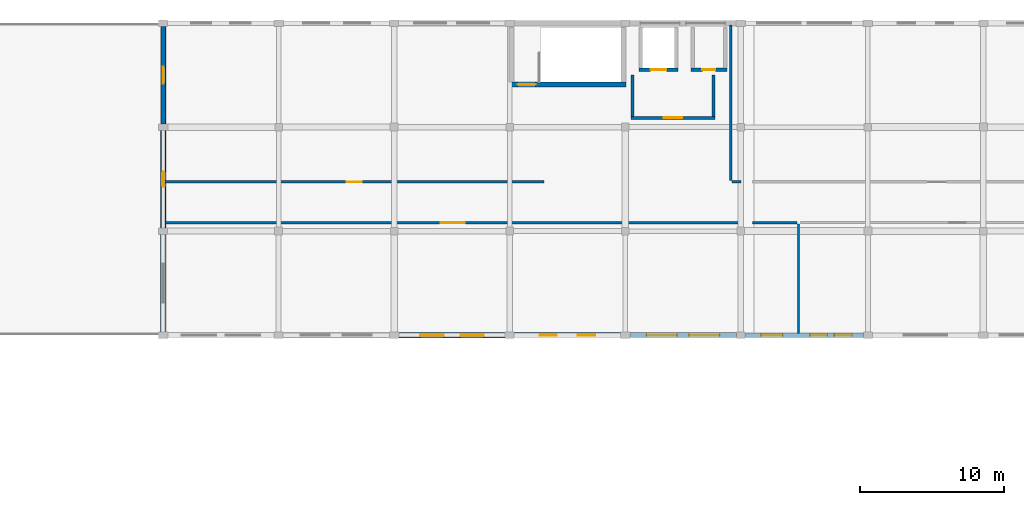
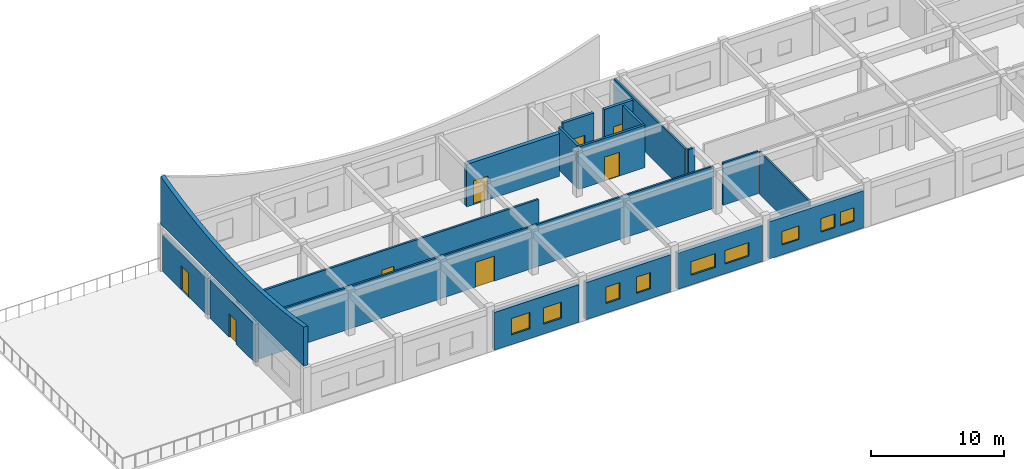
# One storey, part 4 of 10: 19 walls, 9 windows, 8 doors, 17 openings.
"""IFC4 building model written with IfcOpenShell, lengths in metres."""

from ifc_helpers import new_model, si_unit, direction, frame, frame_2d, origin, place, context, subcontext, project, spatial, polyline, rectangle, outline, extrude, material, layer, layer_set, type_object, element, fill, save


model = new_model("IFC4")

# Units and contexts
model_context = context("Model", 3, precision=1e-05, world=origin(), true_north=direction((0.0, 1.0)))
body_context = subcontext(model_context, "Body", "Model", "MODEL_VIEW")
ifc_project = project(units=[si_unit("LENGTHUNIT", "METRE"), si_unit("AREAUNIT", "SQUARE_METRE"), si_unit("VOLUMEUNIT", "CUBIC_METRE"), si_unit("PLANEANGLEUNIT", "RADIAN"), si_unit("MASSUNIT", "GRAM", prefix="KILO")], contexts=[model_context])

# Site, building, storey
site_placement = place(None, origin())
site = spatial("IfcSite", under=ifc_project, at=site_placement, CompositionType="ELEMENT")
building_placement = place(site_placement, origin())
building = spatial("IfcBuilding", under=site, at=building_placement, Name="Kharva Crest Polytechnic", CompositionType="ELEMENT")
storey_placement = place(building_placement, frame((0.0, 0.0, 25.800048828125)))
storey = spatial("IfcBuildingStorey", under=building, at=storey_placement, Name="L06", CompositionType="ELEMENT", Elevation=25.800048828125)

# Wall, opening, door
ifc_material_1 = material(Name="Concrete C40/50", Category="concrete")
ifc_layer_1 = layer(ifc_material_1, 0.35009765625, Name="Concrete C40/50")
ifc_layer_set_1 = layer_set([ifc_layer_1], Name="Concrete C40/50")
wall_type_1 = type_object("IfcWallType", Name="WL-CORE-CW1-350", PredefinedType="SHEAR", material=ifc_layer_set_1)
wall_1_placement = place(storey_placement, frame((103.949951171875, 117.764892578125, 0.0), z_axis=(0.0, 0.0, 1.0), x_axis=(1.0, 0.0, 0.0)))
wall_1 = element("IfcWall", 1, at=wall_1_placement, inside=storey, type_object=wall_type_1, Name="L06 North Crest Firefighting Core C4 South Shear Wall", PredefinedType="SHEAR", context=body_context, shape_type="SweptSolid", body=[
    extrude(rectangle(XDim=8.10009765625, YDim=0.35009765625, at=frame_2d((4.050048828125, 0.0))), origin(), (0.0, 0.0, 1.0), 3.919921875),
])
opening_1_placement = place(wall_1_placement, frame((0.60009765625, 0.0, 0.0)))
opening_1 = element("IfcOpeningElement", 2, at=opening_1_placement, cuts=wall_1, Name="Opening FD1B", PredefinedType="OPENING", context=body_context, shape_type="SweptSolid", body=[
    extrude(rectangle(XDim=1.25, YDim=2.199951171875, at=frame_2d((0.625, 1.10009765625))), frame((0.0, 0.18505859375, 0.0), z_axis=(0.0, -1.0, 0.0), x_axis=(1.0, 0.0, 0.0)), (0.0, 0.0, 1.0), 0.3701171875),
])
ifc_material_2 = material(Name="Teak timber", Category="wood")
door_type_1 = type_object("IfcDoorType", Name="DR-STAIR-1250X2200", OperationType="NOTDEFINED", PredefinedType="DOOR", material=ifc_material_2)
door_1_placement = place(opening_1_placement, origin())
door_1 = element("IfcDoor", 3, at=door_1_placement, inside=storey, type_object=door_type_1, Name="L06 ST-04 Stair Door", OperationType="SINGLE_SWING_LEFT", OverallHeight=2.199951171875, OverallWidth=1.25, PredefinedType="DOOR", context=body_context, shape_type="SweptSolid", body=[
    extrude(rectangle(XDim=1.25, YDim=2.199951171875, at=frame_2d((0.625, 1.10009765625))), frame((0.0, 0.02490234375, 0.0), z_axis=(0.0, -1.0, 0.0), x_axis=(1.0, 0.0, 0.0)), (0.0, 0.0, 1.0), 0.050048828125),
])
fill(opening_1, door_1)

ifc_material_3 = material(Name="Kiln brick masonry", Category="masonry")
ifc_layer_2 = layer(ifc_material_3, 0.2900390625, Name="Kiln brick masonry")
ifc_layer_set_2 = layer_set([ifc_layer_2], Name="Kiln brick masonry")
wall_type_2 = type_object("IfcWallType", Name="WL-EXT-BRK-290", PredefinedType="SOLIDWALL", material=ifc_layer_set_2)
wall_2_placement = place(storey_placement, frame((80.0, 114.580078125, 0.0), z_axis=(0.0, 0.0, 1.0), x_axis=(0.0, -1.0, 0.0)))
wall_2 = element("IfcWall", 4, at=wall_2_placement, inside=storey, type_object=wall_type_2, Name="L06 Exterior Brick Wall 487", PredefinedType="SOLIDWALL", context=body_context, shape_type="SweptSolid", body=[
    extrude(rectangle(XDim=6.760009765625, YDim=0.2900390625, at=frame_2d((3.3798828125, 0.0))), origin(), (0.0, 0.0, 1.0), 3.534912109375),
])
opening_2_placement = place(wall_2_placement, frame((2.85498046875, 0.0, 0.0)))
opening_2 = element("IfcOpeningElement", 5, at=opening_2_placement, cuts=wall_2, Name="Opening ED10", PredefinedType="OPENING", context=body_context, shape_type="SweptSolid", body=[
    extrude(rectangle(XDim=1.050048828125, YDim=2.14990234375, at=frame_2d((0.52490234375, 1.074951171875))), frame((0.0, 0.155029296875, 0.0), z_axis=(0.0, -1.0, 0.0), x_axis=(1.0, 0.0, 0.0)), (0.0, 0.0, 1.0), 0.31005859375),
])
ifc_material_4 = material(Name="Anodised aluminium", Category="aluminium")
door_type_2 = type_object("IfcDoorType", Name="DR-EXT-TER-1050X2150", OperationType="NOTDEFINED", PredefinedType="DOOR", material=ifc_material_4)
door_2_placement = place(opening_2_placement, frame((1.050048828125, 0.0, 0.0), z_axis=(0.0, 0.0, 1.0), x_axis=(-1.0, 0.0, 0.0)))
door_2 = element("IfcDoor", 6, at=door_2_placement, inside=storey, type_object=door_type_2, Name="L06 TER_N_L06 Access Door 59", OperationType="SINGLE_SWING_LEFT", OverallHeight=2.14990234375, OverallWidth=1.050048828125, PredefinedType="DOOR", context=body_context, shape_type="SweptSolid", body=[
    extrude(rectangle(XDim=1.050048828125, YDim=2.14990234375, at=frame_2d((0.52490234375, 1.074951171875))), frame((0.0, 0.02490234375, 0.0), z_axis=(0.0, -1.0, 0.0), x_axis=(1.0, 0.0, 0.0)), (0.0, 0.0, 1.0), 0.050048828125),
])
fill(opening_2, door_2)

ifc_layer_3 = layer(ifc_material_3, 0.304931640625, Name="Kiln brick masonry")
ifc_layer_set_3 = layer_set([ifc_layer_3], Name="Kiln brick masonry")
wall_type_3 = type_object("IfcWallType", Name="WL-EXT-BRK-305", PredefinedType="SOLIDWALL", material=ifc_layer_set_3)
wall_3_placement = place(storey_placement, frame((80.0, 121.780029296875, 0.0), z_axis=(0.0, 0.0, 1.0), x_axis=(0.0, -1.0, 0.0)))
wall_3 = element("IfcWall", 7, at=wall_3_placement, inside=storey, type_object=wall_type_3, Name="L06 Exterior Brick Wall 486", PredefinedType="SOLIDWALL", context=body_context, shape_type="SweptSolid", body=[
    extrude(rectangle(XDim=6.760009765625, YDim=0.304931640625, at=frame_2d((3.3798828125, 0.0))), origin(), (0.0, 0.0, 1.0), 3.35498046875),
])
opening_3_placement = place(wall_3_placement, frame((2.804931640625, 0.0, 0.0)))
opening_3 = element("IfcOpeningElement", 8, at=opening_3_placement, cuts=wall_3, Name="Opening ED9", PredefinedType="OPENING", context=body_context, shape_type="SweptSolid", body=[
    extrude(rectangle(XDim=1.14990234375, YDim=2.199951171875, at=frame_2d((0.574951171875, 1.10009765625))), frame((0.0, 0.162353515625, 0.0), z_axis=(0.0, -1.0, 0.0), x_axis=(1.0, 0.0, 0.0)), (0.0, 0.0, 1.0), 0.324951171875),
])
door_type_3 = type_object("IfcDoorType", Name="DR-EXT-TER-1150X2200", OperationType="NOTDEFINED", PredefinedType="DOOR", material=ifc_material_4)
door_3_placement = place(opening_3_placement, frame((1.14990234375, 0.0, 0.0), z_axis=(0.0, 0.0, 1.0), x_axis=(-1.0, 0.0, 0.0)))
door_3 = element("IfcDoor", 9, at=door_3_placement, inside=storey, type_object=door_type_3, Name="L06 TER_N_L06 Access Door 58", OperationType="SINGLE_SWING_RIGHT", OverallHeight=2.199951171875, OverallWidth=1.14990234375, PredefinedType="DOOR", context=body_context, shape_type="SweptSolid", body=[
    extrude(rectangle(XDim=1.14990234375, YDim=2.199951171875, at=frame_2d((0.574951171875, 1.10009765625))), frame((0.0, 0.02490234375, 0.0), z_axis=(0.0, -1.0, 0.0), x_axis=(1.0, 0.0, 0.0)), (0.0, 0.0, 1.0), 0.050048828125),
])
fill(opening_3, door_3)

# Wall, openings, windows
ifc_layer_4 = layer(ifc_material_3, 0.320068359375, Name="Kiln brick masonry")
ifc_layer_set_4 = layer_set([ifc_layer_4], Name="Kiln brick masonry")
wall_type_4 = type_object("IfcWallType", Name="WL-EXT-BRK-320", PredefinedType="SOLIDWALL", material=ifc_layer_set_4)
wall_4_placement = place(storey_placement, frame((120.304931640625, 100.39990234375, 0.0), z_axis=(0.0, 0.0, 1.0), x_axis=(1.0, 0.0, 0.0)))
wall_4 = element("IfcWall", 10, at=wall_4_placement, inside=storey, type_object=wall_type_4, Name="L06 Exterior Brick Wall 494", PredefinedType="SOLIDWALL", context=body_context, shape_type="SweptSolid", body=[
    extrude(rectangle(XDim=8.190185546875, YDim=0.320068359375, at=frame_2d((4.09521484375, 0.0))), origin(), (0.0, 0.0, 1.0), 3.425048828125),
])
opening_4_placement = place(wall_4_placement, frame((1.097900390625, 0.0, 0.89990234375)))
opening_4 = element("IfcOpeningElement", 11, at=opening_4_placement, cuts=wall_4, Name="Opening W20", PredefinedType="OPENING", context=body_context, shape_type="SweptSolid", body=[
    extrude(rectangle(XDim=1.5, YDim=1.25, at=frame_2d((0.75, 0.625))), frame((0.0, 0.169921875, 0.0), z_axis=(0.0, -1.0, 0.0), x_axis=(1.0, 0.0, 0.0)), (0.0, 0.0, 1.0), 0.340087890625),
])
opening_5_placement = place(wall_4_placement, frame((4.5, 0.0, 0.89990234375)))
opening_5 = element("IfcOpeningElement", 12, at=opening_5_placement, cuts=wall_4, Name="Opening W21", PredefinedType="OPENING", context=body_context, shape_type="SweptSolid", body=[
    extrude(rectangle(XDim=1.199951171875, YDim=1.25, at=frame_2d((0.60009765625, 0.625))), frame((0.0, 0.169921875, 0.0), z_axis=(0.0, -1.0, 0.0), x_axis=(1.0, 0.0, 0.0)), (0.0, 0.0, 1.0), 0.340087890625),
])
opening_6_placement = place(wall_4_placement, frame((6.18505859375, 0.0, 0.89990234375)))
opening_6 = element("IfcOpeningElement", 13, at=opening_6_placement, cuts=wall_4, Name="Opening W21", PredefinedType="OPENING", context=body_context, shape_type="SweptSolid", body=[
    extrude(rectangle(XDim=1.199951171875, YDim=1.25, at=frame_2d((0.60009765625, 0.625))), frame((0.0, 0.169921875, 0.0), z_axis=(0.0, -1.0, 0.0), x_axis=(1.0, 0.0, 0.0)), (0.0, 0.0, 1.0), 0.340087890625),
])
window_type_1 = type_object("IfcWindowType", Name="WIN-ALU-1200X1250", PartitioningType="SINGLE_PANEL", PredefinedType="WINDOW", material=ifc_material_4)
window_1_placement = place(opening_5_placement, origin())
window_1 = element("IfcWindow", 14, at=window_1_placement, inside=storey, type_object=window_type_1, Name="L06 Exterior Window 710", OverallHeight=1.25, OverallWidth=1.199951171875, PartitioningType="SINGLE_PANEL", PredefinedType="WINDOW", context=body_context, shape_type="SweptSolid", body=[
    extrude(rectangle(XDim=1.199951171875, YDim=1.25, at=frame_2d((0.60009765625, 0.625))), frame((0.0, 0.030029296875, 0.0), z_axis=(0.0, -1.0, 0.0), x_axis=(1.0, 0.0, 0.0)), (0.0, 0.0, 1.0), 0.06005859375),
])
fill(opening_5, window_1)
window_2_placement = place(opening_6_placement, origin())
window_2 = element("IfcWindow", 15, at=window_2_placement, inside=storey, type_object=window_type_1, Name="L06 Exterior Window 711", OverallHeight=1.25, OverallWidth=1.199951171875, PartitioningType="SINGLE_PANEL", PredefinedType="WINDOW", context=body_context, shape_type="SweptSolid", body=[
    extrude(rectangle(XDim=1.199951171875, YDim=1.25, at=frame_2d((0.60009765625, 0.625))), frame((0.0, 0.030029296875, 0.0), z_axis=(0.0, -1.0, 0.0), x_axis=(1.0, 0.0, 0.0)), (0.0, 0.0, 1.0), 0.06005859375),
])
fill(opening_6, window_2)
window_type_2 = type_object("IfcWindowType", Name="WIN-ALU-1500X1250", PartitioningType="SINGLE_PANEL", PredefinedType="WINDOW", material=ifc_material_4)
window_3_placement = place(opening_4_placement, origin())
window_3 = element("IfcWindow", 16, at=window_3_placement, inside=storey, type_object=window_type_2, Name="L06 Exterior Window 709", OverallHeight=1.25, OverallWidth=1.5, PartitioningType="SINGLE_PANEL", PredefinedType="WINDOW", context=body_context, shape_type="SweptSolid", body=[
    extrude(rectangle(XDim=1.5, YDim=1.25, at=frame_2d((0.75, 0.625))), frame((0.0, 0.030029296875, 0.0), z_axis=(0.0, -1.0, 0.0), x_axis=(1.0, 0.0, 0.0)), (0.0, 0.0, 1.0), 0.06005859375),
])
fill(opening_4, window_3)

ifc_layer_5 = layer(ifc_material_3, 0.3349609375, Name="Kiln brick masonry")
ifc_layer_set_5 = layer_set([ifc_layer_5], Name="Kiln brick masonry")
wall_type_5 = type_object("IfcWallType", Name="WL-EXT-BRK-335", PredefinedType="SOLIDWALL", material=ifc_layer_set_5)
wall_5_placement = place(storey_placement, frame((112.320068359375, 100.39990234375, 0.0), z_axis=(0.0, 0.0, 1.0), x_axis=(1.0, 0.0, 0.0)))
wall_5 = element("IfcWall", 17, at=wall_5_placement, inside=storey, type_object=wall_type_5, Name="L06 Exterior Brick Wall 493", PredefinedType="SOLIDWALL", context=body_context, shape_type="SweptSolid", body=[
    extrude(rectangle(XDim=7.375, YDim=0.3349609375, at=frame_2d((3.6875, 0.0))), origin(), (0.0, 0.0, 1.0), 3.324951171875),
])
opening_7_placement = place(wall_5_placement, frame((1.1650390625, 0.0, 0.89990234375)))
opening_7 = element("IfcOpeningElement", 18, at=opening_7_placement, cuts=wall_5, Name="Opening W18", PredefinedType="OPENING", context=body_context, shape_type="SweptSolid", body=[
    extrude(rectangle(XDim=2.10009765625, YDim=1.25, at=frame_2d((1.050048828125, 0.625))), frame((0.0, 0.177490234375, 0.0), z_axis=(0.0, -1.0, 0.0), x_axis=(1.0, 0.0, 0.0)), (0.0, 0.0, 1.0), 0.35498046875),
])
opening_8_placement = place(wall_5_placement, frame((4.110107421875, 0.0, 0.89990234375)))
opening_8 = element("IfcOpeningElement", 19, at=opening_8_placement, cuts=wall_5, Name="Opening W18", PredefinedType="OPENING", context=body_context, shape_type="SweptSolid", body=[
    extrude(rectangle(XDim=2.10009765625, YDim=1.25, at=frame_2d((1.050048828125, 0.625))), frame((0.0, 0.177490234375, 0.0), z_axis=(0.0, -1.0, 0.0), x_axis=(1.0, 0.0, 0.0)), (0.0, 0.0, 1.0), 0.35498046875),
])
window_type_3 = type_object("IfcWindowType", Name="WIN-ALU-2100X1250", PartitioningType="SINGLE_PANEL", PredefinedType="WINDOW", material=ifc_material_4)
window_4_placement = place(opening_7_placement, origin())
window_4 = element("IfcWindow", 20, at=window_4_placement, inside=storey, type_object=window_type_3, Name="L06 Exterior Window 707", OverallHeight=1.25, OverallWidth=2.10009765625, PartitioningType="SINGLE_PANEL", PredefinedType="WINDOW", context=body_context, shape_type="SweptSolid", body=[
    extrude(rectangle(XDim=2.10009765625, YDim=1.25, at=frame_2d((1.050048828125, 0.625))), frame((0.0, 0.030029296875, 0.0), z_axis=(0.0, -1.0, 0.0), x_axis=(1.0, 0.0, 0.0)), (0.0, 0.0, 1.0), 0.06005859375),
])
fill(opening_7, window_4)
window_5_placement = place(opening_8_placement, origin())
window_5 = element("IfcWindow", 21, at=window_5_placement, inside=storey, type_object=window_type_3, Name="L06 Exterior Window 708", OverallHeight=1.25, OverallWidth=2.10009765625, PartitioningType="SINGLE_PANEL", PredefinedType="WINDOW", context=body_context, shape_type="SweptSolid", body=[
    extrude(rectangle(XDim=2.10009765625, YDim=1.25, at=frame_2d((1.050048828125, 0.625))), frame((0.0, 0.030029296875, 0.0), z_axis=(0.0, -1.0, 0.0), x_axis=(1.0, 0.0, 0.0)), (0.0, 0.0, 1.0), 0.06005859375),
])
fill(opening_8, window_5)

ifc_layer_6 = layer(ifc_material_3, 0.35009765625, Name="Kiln brick masonry")
ifc_layer_set_6 = layer_set([ifc_layer_6], Name="Kiln brick masonry")
wall_type_6 = type_object("IfcWallType", Name="WL-EXT-BRK-350", PredefinedType="SOLIDWALL", material=ifc_layer_set_6)
wall_6_placement = place(storey_placement, frame((104.304931640625, 100.39990234375, 0.0), z_axis=(0.0, 0.0, 1.0), x_axis=(1.0, 0.0, 0.0)))
wall_6 = element("IfcWall", 22, at=wall_6_placement, inside=storey, type_object=wall_type_6, Name="L06 Exterior Brick Wall 492", PredefinedType="SOLIDWALL", context=body_context, shape_type="SweptSolid", body=[
    extrude(rectangle(XDim=7.375, YDim=0.35009765625, at=frame_2d((3.6875, 0.0))), origin(), (0.0, 0.0, 1.0), 3.425048828125),
])
opening_9_placement = place(wall_6_placement, frame((1.764892578125, 0.0, 0.89990234375)))
opening_9 = element("IfcOpeningElement", 23, at=opening_9_placement, cuts=wall_6, Name="Opening W16", PredefinedType="OPENING", context=body_context, shape_type="SweptSolid", body=[
    extrude(rectangle(XDim=1.199951171875, YDim=1.5, at=frame_2d((0.60009765625, 0.75))), frame((0.0, 0.18505859375, 0.0), z_axis=(0.0, -1.0, 0.0), x_axis=(1.0, 0.0, 0.0)), (0.0, 0.0, 1.0), 0.3701171875),
])
opening_10_placement = place(wall_6_placement, frame((4.409912109375, 0.0, 0.89990234375)))
opening_10 = element("IfcOpeningElement", 24, at=opening_10_placement, cuts=wall_6, Name="Opening W16", PredefinedType="OPENING", context=body_context, shape_type="SweptSolid", body=[
    extrude(rectangle(XDim=1.199951171875, YDim=1.5, at=frame_2d((0.60009765625, 0.75))), frame((0.0, 0.18505859375, 0.0), z_axis=(0.0, -1.0, 0.0), x_axis=(1.0, 0.0, 0.0)), (0.0, 0.0, 1.0), 0.3701171875),
])
window_type_4 = type_object("IfcWindowType", Name="WIN-ALU-1200X1500", PartitioningType="SINGLE_PANEL", PredefinedType="WINDOW", material=ifc_material_4)
window_6_placement = place(opening_9_placement, origin())
window_6 = element("IfcWindow", 25, at=window_6_placement, inside=storey, type_object=window_type_4, Name="L06 Exterior Window 705", OverallHeight=1.5, OverallWidth=1.199951171875, PartitioningType="SINGLE_PANEL", PredefinedType="WINDOW", context=body_context, shape_type="SweptSolid", body=[
    extrude(rectangle(XDim=1.199951171875, YDim=1.5, at=frame_2d((0.60009765625, 0.75))), frame((0.0, 0.030029296875, 0.0), z_axis=(0.0, -1.0, 0.0), x_axis=(1.0, 0.0, 0.0)), (0.0, 0.0, 1.0), 0.06005859375),
])
fill(opening_9, window_6)
window_7_placement = place(opening_10_placement, origin())
window_7 = element("IfcWindow", 26, at=window_7_placement, inside=storey, type_object=window_type_4, Name="L06 Exterior Window 706", OverallHeight=1.5, OverallWidth=1.199951171875, PartitioningType="SINGLE_PANEL", PredefinedType="WINDOW", context=body_context, shape_type="SweptSolid", body=[
    extrude(rectangle(XDim=1.199951171875, YDim=1.5, at=frame_2d((0.60009765625, 0.75))), frame((0.0, 0.030029296875, 0.0), z_axis=(0.0, -1.0, 0.0), x_axis=(1.0, 0.0, 0.0)), (0.0, 0.0, 1.0), 0.06005859375),
])
fill(opening_10, window_7)

ifc_layer_7 = layer(ifc_material_3, 0.364990234375, Name="Kiln brick masonry")
ifc_layer_set_7 = layer_set([ifc_layer_7], Name="Kiln brick masonry")
wall_type_7 = type_object("IfcWallType", Name="WL-EXT-BRK-365", PredefinedType="SOLIDWALL", material=ifc_layer_set_7)
wall_7_placement = place(storey_placement, frame((96.320068359375, 100.39990234375, 0.0), z_axis=(0.0, 0.0, 1.0), x_axis=(1.0, 0.0, 0.0)))
wall_7 = element("IfcWall", 27, at=wall_7_placement, inside=storey, type_object=wall_type_7, Name="L06 Exterior Brick Wall 491", PredefinedType="SOLIDWALL", context=body_context, shape_type="SweptSolid", body=[
    extrude(rectangle(XDim=7.375, YDim=0.364990234375, at=frame_2d((3.6875, 0.0))), origin(), (0.0, 0.0, 1.0), 3.474853515625),
])
opening_11_placement = place(wall_7_placement, frame((1.498046875, 0.0, 0.89990234375)))
opening_11 = element("IfcOpeningElement", 28, at=opening_11_placement, cuts=wall_7, Name="Opening W14", PredefinedType="OPENING", context=body_context, shape_type="SweptSolid", body=[
    extrude(rectangle(XDim=1.60009765625, YDim=1.5, at=frame_2d((0.800048828125, 0.75))), frame((0.0, 0.1923828125, 0.0), z_axis=(0.0, -1.0, 0.0), x_axis=(1.0, 0.0, 0.0)), (0.0, 0.0, 1.0), 0.385009765625),
])
opening_12_placement = place(wall_7_placement, frame((4.277099609375, 0.0, 0.89990234375)))
opening_12 = element("IfcOpeningElement", 29, at=opening_12_placement, cuts=wall_7, Name="Opening W14", PredefinedType="OPENING", context=body_context, shape_type="SweptSolid", body=[
    extrude(rectangle(XDim=1.60009765625, YDim=1.5, at=frame_2d((0.800048828125, 0.75))), frame((0.0, 0.1923828125, 0.0), z_axis=(0.0, -1.0, 0.0), x_axis=(1.0, 0.0, 0.0)), (0.0, 0.0, 1.0), 0.385009765625),
])
window_type_5 = type_object("IfcWindowType", Name="WIN-ALU-1600X1500", PartitioningType="SINGLE_PANEL", PredefinedType="WINDOW", material=ifc_material_4)
window_8_placement = place(opening_11_placement, origin())
window_8 = element("IfcWindow", 30, at=window_8_placement, inside=storey, type_object=window_type_5, Name="L06 Exterior Window 703", OverallHeight=1.5, OverallWidth=1.60009765625, PartitioningType="SINGLE_PANEL", PredefinedType="WINDOW", context=body_context, shape_type="SweptSolid", body=[
    extrude(rectangle(XDim=1.60009765625, YDim=1.5, at=frame_2d((0.800048828125, 0.75))), frame((0.0, 0.030029296875, 0.0), z_axis=(0.0, -1.0, 0.0), x_axis=(1.0, 0.0, 0.0)), (0.0, 0.0, 1.0), 0.06005859375),
])
fill(opening_11, window_8)
window_9_placement = place(opening_12_placement, origin())
window_9 = element("IfcWindow", 31, at=window_9_placement, inside=storey, type_object=window_type_5, Name="L06 Exterior Window 704", OverallHeight=1.5, OverallWidth=1.60009765625, PartitioningType="SINGLE_PANEL", PredefinedType="WINDOW", context=body_context, shape_type="SweptSolid", body=[
    extrude(rectangle(XDim=1.60009765625, YDim=1.5, at=frame_2d((0.800048828125, 0.75))), frame((0.0, 0.030029296875, 0.0), z_axis=(0.0, -1.0, 0.0), x_axis=(1.0, 0.0, 0.0)), (0.0, 0.0, 1.0), 0.06005859375),
])
fill(opening_12, window_9)

# Wall, opening, door
ifc_layer_8 = layer(ifc_material_3, 0.199951171875, Name="Kiln brick masonry")
ifc_layer_set_8 = layer_set([ifc_layer_8], Name="Kiln brick masonry")
wall_type_8 = type_object("IfcWallType", Name="WL-FIRE-FW1-200", PredefinedType="SOLIDWALL", material=ifc_layer_set_8)
wall_8_placement = place(storey_placement, frame((112.39990234375, 115.449951171875, 0.0), z_axis=(0.0, 0.0, 1.0), x_axis=(1.0, 0.0, 0.0)))
wall_8 = element("IfcWall", 32, at=wall_8_placement, inside=storey, type_object=wall_type_8, Name="L06 Firefighting Lobby FL1 South Wall", PredefinedType="SOLIDWALL", context=body_context, shape_type="SweptSolid", body=[
    extrude(rectangle(XDim=5.800048828125, YDim=0.199951171875, at=frame_2d((2.89990234375, 0.0))), origin(), (0.0, 0.0, 1.0), 3.919921875),
])
opening_13_placement = place(wall_8_placement, frame((2.25, 0.0, 0.0)))
opening_13 = element("IfcOpeningElement", 33, at=opening_13_placement, cuts=wall_8, Name="Opening FD2", PredefinedType="OPENING", context=body_context, shape_type="SweptSolid", body=[
    extrude(rectangle(XDim=1.300048828125, YDim=2.199951171875, at=frame_2d((0.64990234375, 1.10009765625))), frame((0.0, 0.10986328125, 0.0), z_axis=(0.0, -1.0, 0.0), x_axis=(1.0, 0.0, 0.0)), (0.0, 0.0, 1.0), 0.219970703125),
])
door_type_4 = type_object("IfcDoorType", Name="DR-FFLOB-1300X2200", OperationType="NOTDEFINED", PredefinedType="DOOR", material=ifc_material_2)
door_4_placement = place(opening_13_placement, origin())
door_4 = element("IfcDoor", 34, at=door_4_placement, inside=storey, type_object=door_type_4, Name="L06 Firefighting Lobby FL1 Smoke Door", OperationType="SINGLE_SWING_RIGHT", OverallHeight=2.199951171875, OverallWidth=1.300048828125, PredefinedType="DOOR", context=body_context, shape_type="SweptSolid", body=[
    extrude(rectangle(XDim=1.300048828125, YDim=2.199951171875, at=frame_2d((0.64990234375, 1.10009765625))), frame((0.0, 0.02490234375, 0.0), z_axis=(0.0, -1.0, 0.0), x_axis=(1.0, 0.0, 0.0)), (0.0, 0.0, 1.0), 0.050048828125),
])
fill(opening_13, door_4)

# Walls
for number, where, z_axis, x_axis, name in (
    (35, (112.5, 115.550048828125, 0.0), (0.0, 0.0, 1.0), (0.0, 1.0, 0.0), "L06 Firefighting Lobby FL1 West Wall"),
    (36, (118.10009765625, 115.550048828125, 0.0), (0.0, 0.0, 1.0), (0.0, 1.0, 0.0), "L06 Firefighting Lobby FL1 East Wall"),
):
    element("IfcWall", number, at=place(storey_placement, frame(where, z_axis=z_axis, x_axis=x_axis)), inside=storey, type_object=wall_type_8, Name=name, PredefinedType="SOLIDWALL", context=body_context, shape_type="SweptSolid", body=[
        extrude(rectangle(XDim=2.849853515625, YDim=0.199951171875, at=frame_2d((1.4248046875, 0.0))), origin(), (0.0, 0.0, 1.0), 3.919921875),
    ])
ifc_layer_9 = layer(ifc_material_3, 0.360107421875, Name="Kiln brick masonry")
ifc_layer_set_9 = layer_set([ifc_layer_9], Name="Kiln brick masonry")
wall_type_9 = type_object("IfcWallType", Name="WL-PAR-CREST-360", PredefinedType="PARAPET", material=ifc_layer_set_9)
wall_9_placement = place(storey_placement, frame((80.0, 100.39990234375, 4.199951171875), z_axis=(0.0, 0.0, 1.0), x_axis=(0.0, 1.0, 0.0)))
element("IfcWall", 37, at=wall_9_placement, inside=storey, type_object=wall_type_9, Name="L06 Bowed Brick Gable Crest 1", PredefinedType="PARAPET", context=body_context, shape_type="SweptSolid", body=[
    extrude(outline(polyline([(0.0, 0.0), (21.60009765625, 0.0), (21.60009765625, 4.39990234375), (20.25, 4.07958984375), (18.89990234375, 3.796875), (17.550048828125, 3.55126953125), (16.199951171875, 3.342041015625), (14.85009765625, 3.169189453125), (13.5, 3.031982421875), (12.14990234375, 2.93017578125), (10.800048828125, 2.86376953125), (9.449951171875, 2.83251953125), (8.10009765625, 2.836181640625), (6.75, 2.874755859375), (5.39990234375, 2.94873046875), (4.050048828125, 3.057861328125), (2.699951171875, 3.20263671875), (1.35009765625, 3.38330078125), (0.0, 3.60009765625), (0.0, 0.0)])), frame((0.0, 0.18017578125, 0.0), z_axis=(0.0, -1.0, 0.0), x_axis=(1.0, 0.0, 0.0)), (0.0, 0.0, 1.0), 0.360107421875),
])
ifc_layer_10 = layer(ifc_material_3, 0.14990234375, Name="Kiln brick masonry")
ifc_layer_set_10 = layer_set([ifc_layer_10], Name="Kiln brick masonry")
wall_type_10 = type_object("IfcWallType", Name="WL-PART-150", PredefinedType="PARTITIONING", material=ifc_layer_set_10)
wall_10_placement = place(storey_placement, frame((124.0, 100.510009765625, 0.0), z_axis=(0.0, 0.0, 1.0), x_axis=(0.0, 1.0, 0.0)))
element("IfcWall", 38, at=wall_10_placement, inside=storey, type_object=wall_type_10, Name="L06 Interior Partition 393", PredefinedType="PARTITIONING", context=body_context, shape_type="SweptSolid", body=[
    extrude(rectangle(XDim=7.570068359375, YDim=0.14990234375, at=frame_2d((3.78515625, 0.0))), origin(), (0.0, 0.0, 1.0), 3.89990234375),
])

# Wall, opening, door
ifc_layer_11 = layer(ifc_material_3, 0.159912109375, Name="Kiln brick masonry")
ifc_layer_set_11 = layer_set([ifc_layer_11], Name="Kiln brick masonry")
wall_type_11 = type_object("IfcWallType", Name="WL-PART-160", PredefinedType="PARTITIONING", material=ifc_layer_set_11)
wall_11_placement = place(storey_placement, frame((80.110107421875, 108.18994140625, 0.0), z_axis=(0.0, 0.0, 1.0), x_axis=(1.0, 0.0, 0.0)))
wall_11 = element("IfcWall", 39, at=wall_11_placement, inside=storey, type_object=wall_type_11, Name="L06 Interior Partition 392 W", PredefinedType="PARTITIONING", context=body_context, shape_type="SweptSolid", body=[
    extrude(rectangle(XDim=39.889892578125, YDim=0.159912109375, at=frame_2d((19.94482421875, 0.0))), origin(), (0.0, 0.0, 1.0), 3.89990234375),
])
opening_14_placement = place(wall_11_placement, frame((19.1201171875, 0.0, 0.0)))
opening_14 = element("IfcOpeningElement", 40, at=opening_14_placement, cuts=wall_11, Name="Opening ID3", PredefinedType="OPENING", context=body_context, shape_type="SweptSolid", body=[
    extrude(rectangle(XDim=1.64990234375, YDim=2.300048828125, at=frame_2d((0.824951171875, 1.14990234375))), frame((0.0, 0.08984375, 0.0), z_axis=(0.0, -1.0, 0.0), x_axis=(1.0, 0.0, 0.0)), (0.0, 0.0, 1.0), 0.179931640625),
])
door_type_5 = type_object("IfcDoorType", Name="DR-WKSHP-DBL-1650X2300", OperationType="NOTDEFINED", PredefinedType="DOOR", material=ifc_material_2)
door_5_placement = place(opening_14_placement, origin())
door_5 = element("IfcDoor", 41, at=door_5_placement, inside=storey, type_object=door_type_5, Name="L06 Kiln and Ceramics Workshop Door", OperationType="DOUBLE_DOOR_SINGLE_SWING", OverallHeight=2.300048828125, OverallWidth=1.64990234375, PredefinedType="DOOR", context=body_context, shape_type="SweptSolid", body=[
    extrude(rectangle(XDim=1.64990234375, YDim=2.300048828125, at=frame_2d((0.824951171875, 1.14990234375))), frame((0.0, 0.02490234375, 0.0), z_axis=(0.0, -1.0, 0.0), x_axis=(1.0, 0.0, 0.0)), (0.0, 0.0, 1.0), 0.050048828125),
])
fill(opening_14, door_5)

# Walls
wall_12_placement = place(storey_placement, frame((120.800048828125, 108.18994140625, 0.0), z_axis=(0.0, 0.0, 1.0), x_axis=(1.0, 0.0, 0.0)))
element("IfcWall", 42, at=wall_12_placement, inside=storey, type_object=wall_type_11, Name="L06 Interior Partition 392 E", PredefinedType="PARTITIONING", context=body_context, shape_type="SweptSolid", body=[
    extrude(rectangle(XDim=3.08984375, YDim=0.159912109375, at=frame_2d((1.544921875, 0.0))), origin(), (0.0, 0.0, 1.0), 3.89990234375),
])
wall_13_placement = place(storey_placement, frame((119.300048828125, 111.1201171875, 0.0), z_axis=(0.0, 0.0, 1.0), x_axis=(0.0, 1.0, 0.0)))
element("IfcWall", 43, at=wall_13_placement, inside=storey, type_object=wall_type_11, Name="L06 Interior Partition 402", PredefinedType="PARTITIONING", context=body_context, shape_type="SweptSolid", body=[
    extrude(rectangle(XDim=10.769775390625, YDim=0.159912109375, at=frame_2d((5.384765625, 0.0))), origin(), (0.0, 0.0, 1.0), 3.89990234375),
])
ifc_layer_12 = layer(ifc_material_3, 0.169921875, Name="Kiln brick masonry")
ifc_layer_set_12 = layer_set([ifc_layer_12], Name="Kiln brick masonry")
wall_type_12 = type_object("IfcWallType", Name="WL-PART-170", PredefinedType="PARTITIONING", material=ifc_layer_set_12)
wall_14_placement = place(storey_placement, frame((119.409912109375, 111.010009765625, 0.0), z_axis=(0.0, 0.0, 1.0), x_axis=(1.0, 0.0, 0.0)))
element("IfcWall", 44, at=wall_14_placement, inside=storey, type_object=wall_type_12, Name="L06 Interior Partition 401 W", PredefinedType="PARTITIONING", context=body_context, shape_type="SweptSolid", body=[
    extrude(rectangle(XDim=0.590087890625, YDim=0.169921875, at=frame_2d((0.294921875, 0.0))), origin(), (0.0, 0.0, 1.0), 3.89990234375),
])

# Wall, opening, door
ifc_layer_13 = layer(ifc_material_3, 0.179931640625, Name="Kiln brick masonry")
ifc_layer_set_13 = layer_set([ifc_layer_13], Name="Kiln brick masonry")
wall_type_13 = type_object("IfcWallType", Name="WL-PART-180", PredefinedType="PARTITIONING", material=ifc_layer_set_13)
wall_15_placement = place(storey_placement, frame((80.110107421875, 111.010009765625, 0.0), z_axis=(0.0, 0.0, 1.0), x_axis=(1.0, 0.0, 0.0)))
wall_15 = element("IfcWall", 45, at=wall_15_placement, inside=storey, type_object=wall_type_13, Name="L06 Interior Partition 400", PredefinedType="PARTITIONING", context=body_context, shape_type="SweptSolid", body=[
    extrude(rectangle(XDim=26.269775390625, YDim=0.179931640625, at=frame_2d((13.134765625, 0.0))), origin(), (0.0, 0.0, 1.0), 3.89990234375),
])
opening_15_placement = place(wall_15_placement, frame((12.614990234375, 0.0, 0.0)))
opening_15 = element("IfcOpeningElement", 46, at=opening_15_placement, cuts=wall_15, Name="Opening ID11", PredefinedType="OPENING", context=body_context, shape_type="SweptSolid", body=[
    extrude(rectangle(XDim=1.0400390625, YDim=2.14990234375, at=frame_2d((0.52001953125, 1.074951171875))), frame((0.0, 0.099853515625, 0.0), z_axis=(0.0, -1.0, 0.0), x_axis=(1.0, 0.0, 0.0)), (0.0, 0.0, 1.0), 0.199951171875),
])
door_type_6 = type_object("IfcDoorType", Name="DR-CLS-1040X2150", OperationType="NOTDEFINED", PredefinedType="DOOR", material=ifc_material_2)
door_6_placement = place(opening_15_placement, origin())
door_6 = element("IfcDoor", 47, at=door_6_placement, inside=storey, type_object=door_type_6, Name="L06 Exhibition Critique Seminar Room Door", OperationType="SINGLE_SWING_RIGHT", OverallHeight=2.14990234375, OverallWidth=1.0400390625, PredefinedType="DOOR", context=body_context, shape_type="SweptSolid", body=[
    extrude(rectangle(XDim=1.0400390625, YDim=2.14990234375, at=frame_2d((0.52001953125, 1.074951171875))), frame((0.0, 0.02490234375, 0.0), z_axis=(0.0, -1.0, 0.0), x_axis=(1.0, 0.0, 0.0)), (0.0, 0.0, 1.0), 0.050048828125),
])
fill(opening_15, door_6)

ifc_layer_14 = layer(ifc_material_1, 0.25, Name="Concrete C40/50")
ifc_layer_set_14 = layer_set([ifc_layer_14], Name="Concrete C40/50")
wall_type_14 = type_object("IfcWallType", Name="WL-SHEAR-SW1-250", PredefinedType="SHEAR", material=ifc_layer_set_14)
wall_16_placement = place(storey_placement, frame((112.949951171875, 118.77490234375, 0.0), z_axis=(0.0, 0.0, 1.0), x_axis=(1.0, 0.0, 0.0)))
wall_16 = element("IfcWall", 48, at=wall_16_placement, inside=storey, type_object=wall_type_14, Name="L06 Lift FL1 South Shaft Wall", PredefinedType="SHEAR", context=body_context, shape_type="SweptSolid", body=[
    extrude(rectangle(XDim=2.699951171875, YDim=0.25, at=frame_2d((1.35009765625, 0.0))), origin(), (0.0, 0.0, 1.0), 3.919921875),
])
opening_16_placement = place(wall_16_placement, frame((0.800048828125, 0.0, 0.0)))
opening_16 = element("IfcOpeningElement", 49, at=opening_16_placement, cuts=wall_16, Name="Opening LD1", PredefinedType="OPENING", context=body_context, shape_type="SweptSolid", body=[
    extrude(rectangle(XDim=1.10009765625, YDim=2.14990234375, at=frame_2d((0.550048828125, 1.074951171875))), frame((0.0, 0.135009765625, 0.0), z_axis=(0.0, -1.0, 0.0), x_axis=(1.0, 0.0, 0.0)), (0.0, 0.0, 1.0), 0.27001953125),
])
door_type_7 = type_object("IfcDoorType", Name="DR-LIFT-LD1-1100X2150", OperationType="SLIDING_TO_LEFT", PredefinedType="DOOR", material=ifc_material_4)
door_7_placement = place(opening_16_placement, origin())
door_7 = element("IfcDoor", 50, at=door_7_placement, inside=storey, type_object=door_type_7, Name="L06 Lift FL1 Sliding Landing Door", OperationType="SLIDING_TO_LEFT", OverallHeight=2.14990234375, OverallWidth=1.10009765625, PredefinedType="DOOR", context=body_context, shape_type="SweptSolid", body=[
    extrude(rectangle(XDim=1.10009765625, YDim=2.14990234375, at=frame_2d((0.550048828125, 1.074951171875))), frame((0.0, 0.02490234375, 0.0), z_axis=(0.0, -1.0, 0.0), x_axis=(1.0, 0.0, 0.0)), (0.0, 0.0, 1.0), 0.050048828125),
])
fill(opening_16, door_7)

wall_17_placement = place(storey_placement, frame((116.550048828125, 118.77490234375, 0.0), z_axis=(0.0, 0.0, 1.0), x_axis=(1.0, 0.0, 0.0)))
wall_17 = element("IfcWall", 51, at=wall_17_placement, inside=storey, type_object=wall_type_14, Name="L06 Core C4 Riser South Wall", PredefinedType="SHEAR", context=body_context, shape_type="SweptSolid", body=[
    extrude(rectangle(XDim=2.5, YDim=0.25, at=frame_2d((1.25, 0.0))), origin(), (0.0, 0.0, 1.0), 3.919921875),
])
opening_17_placement = place(wall_17_placement, frame((0.800048828125, 0.0, 0.0)))
opening_17 = element("IfcOpeningElement", 52, at=opening_17_placement, cuts=wall_17, Name="Opening FD3", PredefinedType="OPENING", context=body_context, shape_type="SweptSolid", body=[
    extrude(rectangle(XDim=0.89990234375, YDim=2.050048828125, at=frame_2d((0.449951171875, 1.02490234375))), frame((0.0, 0.135009765625, 0.0), z_axis=(0.0, -1.0, 0.0), x_axis=(1.0, 0.0, 0.0)), (0.0, 0.0, 1.0), 0.27001953125),
])
door_type_8 = type_object("IfcDoorType", Name="DR-RISER-900X2050", OperationType="NOTDEFINED", PredefinedType="DOOR", material=ifc_material_4)
door_8_placement = place(opening_17_placement, origin())
door_8 = element("IfcDoor", 53, at=door_8_placement, inside=storey, type_object=door_type_8, Name="L06 Core C4 Riser Access Door", OperationType="SINGLE_SWING_LEFT", OverallHeight=2.050048828125, OverallWidth=0.89990234375, PredefinedType="DOOR", context=body_context, shape_type="SweptSolid", body=[
    extrude(rectangle(XDim=0.89990234375, YDim=2.050048828125, at=frame_2d((0.449951171875, 1.02490234375))), frame((0.0, 0.02490234375, 0.0), z_axis=(0.0, -1.0, 0.0), x_axis=(1.0, 0.0, 0.0)), (0.0, 0.0, 1.0), 0.050048828125),
])
fill(opening_17, door_8)

save(model, "model.ifc")
